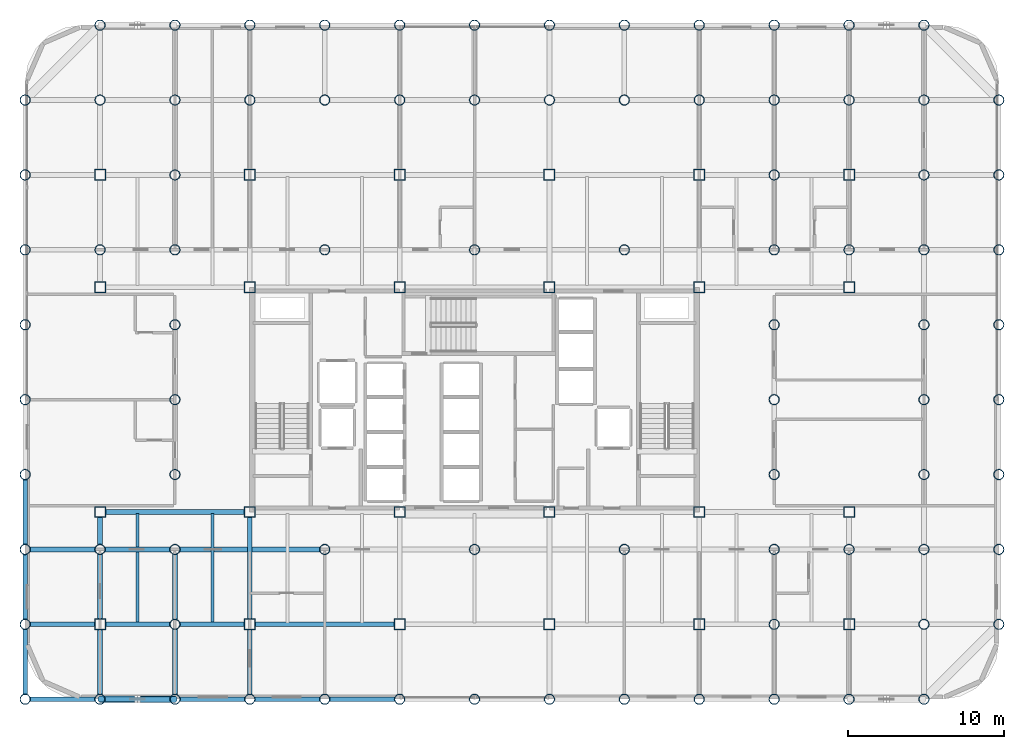
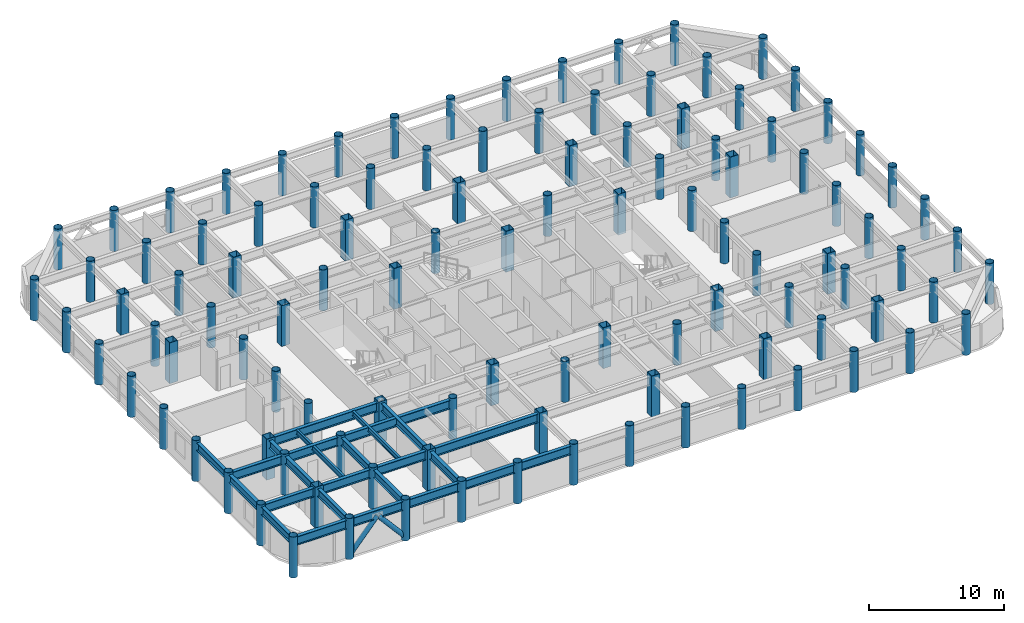
# One storey, part 1 of 20: 108 columns, 25 beams, 2 members.
"""IFC4 building model written with IfcOpenShell, lengths in metres."""

from ifc_helpers import new_model, si_unit, direction, frame, origin, origin_2d, place, context, subcontext, project, spatial, hollow_rectangle, hollow_circle, i_section, extrude, material, material_profile, profile_set, type_object, element, save


model = new_model("IFC4")

# Units and contexts
model_context = context("Model", 3, precision=1e-05, world=origin(), true_north=direction((0.0, 1.0)))
body_context = subcontext(model_context, "Body", "Model", "MODEL_VIEW")
ifc_project = project(units=[si_unit("LENGTHUNIT", "METRE"), si_unit("AREAUNIT", "SQUARE_METRE"), si_unit("VOLUMEUNIT", "CUBIC_METRE"), si_unit("PLANEANGLEUNIT", "RADIAN"), si_unit("MASSUNIT", "GRAM", prefix="KILO")], contexts=[model_context])

# Site, building, storey
site_placement = place(None, origin())
site = spatial("IfcSite", under=ifc_project, at=site_placement, CompositionType="ELEMENT")
building_placement = place(site_placement, origin())
building = spatial("IfcBuilding", under=site, at=building_placement, Name="Kallvorn Hotel Tower", CompositionType="ELEMENT")
storey_placement = place(building_placement, frame((0.0, 0.0, 98.89990234375)))
storey = spatial("IfcBuildingStorey", under=building, at=storey_placement, Name="L23", CompositionType="ELEMENT", Elevation=98.89990234375)

# Columns
ifc_material_1 = material(Name="Structural steel S355J2H", Category="steel")
ifc_material_profile_1 = material_profile(ifc_material_1, hollow_circle(Radius=0.330078125, WallThickness=0.028076171875, at=origin_2d()), Name="CHS 660x28")
ifc_profile_set_1 = profile_set([ifc_material_profile_1], Name="Structural steel S355J2H")
column_type_1 = type_object("IfcColumnType", Name="COL_CHS_660", PredefinedType="COLUMN", material=ifc_profile_set_1)
for number, where, z_axis, x_axis, name in (
    (1, (-28.800048828125, -19.199951171875, 0.0), (0.0, 0.0, 1.0), (1.0, 0.0, 0.0), "L23 Exoskeleton Column EC01"),
    (2, (-28.800048828125, -14.39990234375, 0.0), (0.0, 0.0, 1.0), (1.0, 0.0, 0.0), "L23 Exoskeleton Column EC02"),
    (3, (-28.800048828125, -9.60009765625, 0.0), (0.0, 0.0, 1.0), (1.0, 0.0, 0.0), "L23 Exoskeleton Column EC03"),
    (4, (-28.800048828125, -4.800048828125, 0.0), (0.0, 0.0, 1.0), (1.0, 0.0, 0.0), "L23 Exoskeleton Column EC04"),
    (5, (-28.800048828125, 0.0, 0.0), (0.0, 0.0, 1.0), (1.0, 0.0, 0.0), "L23 Exoskeleton Column EC05"),
    (6, (-28.800048828125, 4.800048828125, 0.0), (0.0, 0.0, 1.0), (1.0, 0.0, 0.0), "L23 Exoskeleton Column EC06"),
    (7, (-28.800048828125, 9.60009765625, 0.0), (0.0, 0.0, 1.0), (1.0, 0.0, 0.0), "L23 Exoskeleton Column EC07"),
    (8, (-28.800048828125, 14.39990234375, 0.0), (0.0, 0.0, 1.0), (1.0, 0.0, 0.0), "L23 Exoskeleton Column EC08"),
    (9, (-28.800048828125, 19.199951171875, 0.0), (0.0, 0.0, 1.0), (1.0, 0.0, 0.0), "L23 Exoskeleton Column EC09"),
    (10, (-24.0, -19.199951171875, 0.0), (0.0, 0.0, 1.0), (1.0, 0.0, 0.0), "L23 Exoskeleton Column EC10"),
    (11, (-24.0, -9.60009765625, 0.0), (0.0, 0.0, 1.0), (1.0, 0.0, 0.0), "L23 Exoskeleton Column EC11"),
    (12, (-24.0, 9.60009765625, 0.0), (0.0, 0.0, 1.0), (1.0, 0.0, 0.0), "L23 Exoskeleton Column EC12"),
    (13, (-24.0, 19.199951171875, 0.0), (0.0, 0.0, 1.0), (1.0, 0.0, 0.0), "L23 Exoskeleton Column EC13"),
    (14, (-24.0, 24.0, 0.0), (0.0, 0.0, 1.0), (1.0, 0.0, 0.0), "L23 Exoskeleton Column EC14"),
    (15, (-19.199951171875, -19.199951171875, 0.0), (0.0, 0.0, 1.0), (1.0, 0.0, 0.0), "L23 Exoskeleton Column EC15"),
    (16, (-19.199951171875, -14.39990234375, 0.0), (0.0, 0.0, 1.0), (1.0, 0.0, 0.0), "L23 Exoskeleton Column EC16"),
    (17, (-19.199951171875, -9.60009765625, 0.0), (0.0, 0.0, 1.0), (1.0, 0.0, 0.0), "L23 Exoskeleton Column EC17"),
    (18, (-19.199951171875, -4.800048828125, 0.0), (0.0, 0.0, 1.0), (1.0, 0.0, 0.0), "L23 Exoskeleton Column EC18"),
    (19, (-19.199951171875, 0.0, 0.0), (0.0, 0.0, 1.0), (1.0, 0.0, 0.0), "L23 Exoskeleton Column EC19"),
    (20, (-19.199951171875, 4.800048828125, 0.0), (0.0, 0.0, 1.0), (1.0, 0.0, 0.0), "L23 Exoskeleton Column EC20"),
    (21, (-19.199951171875, 9.60009765625, 0.0), (0.0, 0.0, 1.0), (1.0, 0.0, 0.0), "L23 Exoskeleton Column EC21"),
    (22, (-19.199951171875, 14.39990234375, 0.0), (0.0, 0.0, 1.0), (1.0, 0.0, 0.0), "L23 Exoskeleton Column EC22"),
    (23, (-19.199951171875, 19.199951171875, 0.0), (0.0, 0.0, 1.0), (1.0, 0.0, 0.0), "L23 Exoskeleton Column EC23"),
    (24, (-19.199951171875, 24.0, 0.0), (0.0, 0.0, 1.0), (1.0, 0.0, 0.0), "L23 Exoskeleton Column EC24"),
    (25, (-14.39990234375, -19.199951171875, 0.0), (0.0, 0.0, 1.0), (1.0, 0.0, 0.0), "L23 Exoskeleton Column EC25"),
    (26, (-14.39990234375, 19.199951171875, 0.0), (0.0, 0.0, 1.0), (1.0, 0.0, 0.0), "L23 Exoskeleton Column EC26"),
    (27, (-14.39990234375, 24.0, 0.0), (0.0, 0.0, 1.0), (1.0, 0.0, 0.0), "L23 Exoskeleton Column EC27"),
    (28, (-9.60009765625, -19.199951171875, 0.0), (0.0, 0.0, 1.0), (1.0, 0.0, 0.0), "L23 Exoskeleton Column EC28"),
    (29, (-9.60009765625, -9.60009765625, 0.0), (0.0, 0.0, 1.0), (1.0, 0.0, 0.0), "L23 Exoskeleton Column EC29"),
    (30, (-9.60009765625, 9.60009765625, 0.0), (0.0, 0.0, 1.0), (1.0, 0.0, 0.0), "L23 Exoskeleton Column EC30"),
    (31, (-9.60009765625, 19.199951171875, 0.0), (0.0, 0.0, 1.0), (1.0, 0.0, 0.0), "L23 Exoskeleton Column EC31"),
    (32, (-9.60009765625, 24.0, 0.0), (0.0, 0.0, 1.0), (1.0, 0.0, 0.0), "L23 Exoskeleton Column EC32"),
    (33, (-4.800048828125, -19.199951171875, 0.0), (0.0, 0.0, 1.0), (1.0, 0.0, 0.0), "L23 Exoskeleton Column EC33"),
    (34, (-4.800048828125, 19.199951171875, 0.0), (0.0, 0.0, 1.0), (1.0, 0.0, 0.0), "L23 Exoskeleton Column EC34"),
    (35, (-4.800048828125, 24.0, 0.0), (0.0, 0.0, 1.0), (1.0, 0.0, 0.0), "L23 Exoskeleton Column EC35"),
    (36, (0.0, -19.199951171875, 0.0), (0.0, 0.0, 1.0), (1.0, 0.0, 0.0), "L23 Exoskeleton Column EC36"),
    (37, (0.0, -9.60009765625, 0.0), (0.0, 0.0, 1.0), (1.0, 0.0, 0.0), "L23 Exoskeleton Column EC37"),
    (38, (0.0, 9.60009765625, 0.0), (0.0, 0.0, 1.0), (1.0, 0.0, 0.0), "L23 Exoskeleton Column EC38"),
    (39, (0.0, 19.199951171875, 0.0), (0.0, 0.0, 1.0), (1.0, 0.0, 0.0), "L23 Exoskeleton Column EC39"),
    (40, (0.0, 24.0, 0.0), (0.0, 0.0, 1.0), (1.0, 0.0, 0.0), "L23 Exoskeleton Column EC40"),
    (41, (4.800048828125, -19.199951171875, 0.0), (0.0, 0.0, 1.0), (1.0, 0.0, 0.0), "L23 Exoskeleton Column EC41"),
    (42, (4.800048828125, 19.199951171875, 0.0), (0.0, 0.0, 1.0), (1.0, 0.0, 0.0), "L23 Exoskeleton Column EC42"),
    (43, (4.800048828125, 24.0, 0.0), (0.0, 0.0, 1.0), (1.0, 0.0, 0.0), "L23 Exoskeleton Column EC43"),
    (44, (9.60009765625, -19.199951171875, 0.0), (0.0, 0.0, 1.0), (1.0, 0.0, 0.0), "L23 Exoskeleton Column EC44"),
    (45, (9.60009765625, -9.60009765625, 0.0), (0.0, 0.0, 1.0), (1.0, 0.0, 0.0), "L23 Exoskeleton Column EC45"),
    (46, (9.60009765625, 9.60009765625, 0.0), (0.0, 0.0, 1.0), (1.0, 0.0, 0.0), "L23 Exoskeleton Column EC46"),
    (47, (9.60009765625, 19.199951171875, 0.0), (0.0, 0.0, 1.0), (1.0, 0.0, 0.0), "L23 Exoskeleton Column EC47"),
    (48, (9.60009765625, 24.0, 0.0), (0.0, 0.0, 1.0), (1.0, 0.0, 0.0), "L23 Exoskeleton Column EC48"),
    (49, (14.39990234375, -19.199951171875, 0.0), (0.0, 0.0, 1.0), (1.0, 0.0, 0.0), "L23 Exoskeleton Column EC49"),
    (50, (14.39990234375, 19.199951171875, 0.0), (0.0, 0.0, 1.0), (1.0, 0.0, 0.0), "L23 Exoskeleton Column EC50"),
    (51, (14.39990234375, 24.0, 0.0), (0.0, 0.0, 1.0), (1.0, 0.0, 0.0), "L23 Exoskeleton Column EC51"),
    (52, (19.199951171875, -19.199951171875, 0.0), (0.0, 0.0, 1.0), (1.0, 0.0, 0.0), "L23 Exoskeleton Column EC52"),
    (53, (19.199951171875, -14.39990234375, 0.0), (0.0, 0.0, 1.0), (1.0, 0.0, 0.0), "L23 Exoskeleton Column EC53"),
    (54, (19.199951171875, -9.60009765625, 0.0), (0.0, 0.0, 1.0), (1.0, 0.0, 0.0), "L23 Exoskeleton Column EC54"),
    (55, (19.199951171875, -4.800048828125, 0.0), (0.0, 0.0, 1.0), (1.0, 0.0, 0.0), "L23 Exoskeleton Column EC55"),
    (56, (19.199951171875, 0.0, 0.0), (0.0, 0.0, 1.0), (1.0, 0.0, 0.0), "L23 Exoskeleton Column EC56"),
    (57, (19.199951171875, 4.800048828125, 0.0), (0.0, 0.0, 1.0), (1.0, 0.0, 0.0), "L23 Exoskeleton Column EC57"),
    (58, (19.199951171875, 9.60009765625, 0.0), (0.0, 0.0, 1.0), (1.0, 0.0, 0.0), "L23 Exoskeleton Column EC58"),
    (59, (19.199951171875, 14.39990234375, 0.0), (0.0, 0.0, 1.0), (1.0, 0.0, 0.0), "L23 Exoskeleton Column EC59"),
    (60, (19.199951171875, 19.199951171875, 0.0), (0.0, 0.0, 1.0), (1.0, 0.0, 0.0), "L23 Exoskeleton Column EC60"),
    (61, (19.199951171875, 24.0, 0.0), (0.0, 0.0, 1.0), (1.0, 0.0, 0.0), "L23 Exoskeleton Column EC61"),
    (62, (24.0, -19.199951171875, 0.0), (0.0, 0.0, 1.0), (1.0, 0.0, 0.0), "L23 Exoskeleton Column EC62"),
    (63, (24.0, -9.60009765625, 0.0), (0.0, 0.0, 1.0), (1.0, 0.0, 0.0), "L23 Exoskeleton Column EC63"),
    (64, (24.0, 9.60009765625, 0.0), (0.0, 0.0, 1.0), (1.0, 0.0, 0.0), "L23 Exoskeleton Column EC64"),
    (65, (24.0, 19.199951171875, 0.0), (0.0, 0.0, 1.0), (1.0, 0.0, 0.0), "L23 Exoskeleton Column EC65"),
    (66, (24.0, 24.0, 0.0), (0.0, 0.0, 1.0), (1.0, 0.0, 0.0), "L23 Exoskeleton Column EC66"),
    (67, (28.800048828125, -19.199951171875, 0.0), (0.0, 0.0, 1.0), (1.0, 0.0, 0.0), "L23 Exoskeleton Column EC67"),
    (68, (28.800048828125, -14.39990234375, 0.0), (0.0, 0.0, 1.0), (1.0, 0.0, 0.0), "L23 Exoskeleton Column EC68"),
    (69, (28.800048828125, -9.60009765625, 0.0), (0.0, 0.0, 1.0), (1.0, 0.0, 0.0), "L23 Exoskeleton Column EC69"),
    (70, (28.800048828125, -4.800048828125, 0.0), (0.0, 0.0, 1.0), (1.0, 0.0, 0.0), "L23 Exoskeleton Column EC70"),
    (71, (28.800048828125, 0.0, 0.0), (0.0, 0.0, 1.0), (1.0, 0.0, 0.0), "L23 Exoskeleton Column EC71"),
    (72, (28.800048828125, 4.800048828125, 0.0), (0.0, 0.0, 1.0), (1.0, 0.0, 0.0), "L23 Exoskeleton Column EC72"),
    (73, (28.800048828125, 9.60009765625, 0.0), (0.0, 0.0, 1.0), (1.0, 0.0, 0.0), "L23 Exoskeleton Column EC73"),
    (74, (28.800048828125, 14.39990234375, 0.0), (0.0, 0.0, 1.0), (1.0, 0.0, 0.0), "L23 Exoskeleton Column EC74"),
    (75, (28.800048828125, 19.199951171875, 0.0), (0.0, 0.0, 1.0), (1.0, 0.0, 0.0), "L23 Exoskeleton Column EC75"),
    (76, (28.800048828125, 24.0, 0.0), (0.0, 0.0, 1.0), (1.0, 0.0, 0.0), "L23 Exoskeleton Column EC76"),
    (77, (33.60009765625, -14.39990234375, 0.0), (0.0, 0.0, 1.0), (1.0, 0.0, 0.0), "L23 Exoskeleton Column EC77"),
    (78, (33.60009765625, -9.60009765625, 0.0), (0.0, 0.0, 1.0), (1.0, 0.0, 0.0), "L23 Exoskeleton Column EC78"),
    (79, (33.60009765625, -4.800048828125, 0.0), (0.0, 0.0, 1.0), (1.0, 0.0, 0.0), "L23 Exoskeleton Column EC79"),
    (80, (33.60009765625, 0.0, 0.0), (0.0, 0.0, 1.0), (1.0, 0.0, 0.0), "L23 Exoskeleton Column EC80"),
    (81, (33.60009765625, 4.800048828125, 0.0), (0.0, 0.0, 1.0), (1.0, 0.0, 0.0), "L23 Exoskeleton Column EC81"),
    (82, (33.60009765625, 9.60009765625, 0.0), (0.0, 0.0, 1.0), (1.0, 0.0, 0.0), "L23 Exoskeleton Column EC82"),
    (83, (33.60009765625, 14.39990234375, 0.0), (0.0, 0.0, 1.0), (1.0, 0.0, 0.0), "L23 Exoskeleton Column EC83"),
    (84, (33.60009765625, 19.199951171875, 0.0), (0.0, 0.0, 1.0), (1.0, 0.0, 0.0), "L23 Exoskeleton Column EC84"),
):
    element("IfcColumn", number, at=place(storey_placement, frame(where, z_axis=z_axis, x_axis=x_axis)), inside=storey, type_object=column_type_1, Name=name, PredefinedType="COLUMN", context=body_context, shape_type="SweptSolid", body=[
        extrude(hollow_circle(Radius=0.330078125, WallThickness=0.028076171875, at=origin_2d()), origin(), (0.0, 0.0, 1.0), 3.7001953125),
    ])
ifc_material_2 = material(Name="Structural steel S355J2H", Category="steel")
ifc_material_profile_2 = material_profile(ifc_material_2, hollow_rectangle(XDim=0.699951171875, YDim=0.699951171875, WallThickness=0.031982421875, at=origin_2d()), Name="RHS 700x700x32")
ifc_profile_set_2 = profile_set([ifc_material_profile_2], Name="Structural steel S355J2H")
column_type_2 = type_object("IfcColumnType", Name="COL_RHS_700", PredefinedType="COLUMN", material=ifc_profile_set_2)
for number, where, z_axis, x_axis, name in (
    (85, (-24.0, -14.39990234375, 0.0), (0.0, 0.0, 1.0), (1.0, 0.0, 0.0), "L23 Inner Column IC01"),
    (86, (-24.0, -7.199951171875, 0.0), (0.0, 0.0, 1.0), (1.0, 0.0, 0.0), "L23 Inner Column IC02"),
    (87, (-24.0, 7.199951171875, 0.0), (0.0, 0.0, 1.0), (1.0, 0.0, 0.0), "L23 Inner Column IC03"),
    (88, (-24.0, 14.39990234375, 0.0), (0.0, 0.0, 1.0), (1.0, 0.0, 0.0), "L23 Inner Column IC04"),
    (89, (-14.39990234375, -14.39990234375, 0.0), (0.0, 0.0, 1.0), (1.0, 0.0, 0.0), "L23 Inner Column IC05"),
    (90, (-14.39990234375, -7.199951171875, 0.0), (0.0, 0.0, 1.0), (1.0, 0.0, 0.0), "L23 Inner Column IC06"),
    (91, (-14.39990234375, 7.199951171875, 0.0), (0.0, 0.0, 1.0), (1.0, 0.0, 0.0), "L23 Inner Column IC07"),
    (92, (-14.39990234375, 14.39990234375, 0.0), (0.0, 0.0, 1.0), (1.0, 0.0, 0.0), "L23 Inner Column IC08"),
    (93, (-4.800048828125, -14.39990234375, 0.0), (0.0, 0.0, 1.0), (1.0, 0.0, 0.0), "L23 Inner Column IC09"),
    (94, (-4.800048828125, -7.199951171875, 0.0), (0.0, 0.0, 1.0), (1.0, 0.0, 0.0), "L23 Inner Column IC10"),
    (95, (-4.800048828125, 7.199951171875, 0.0), (0.0, 0.0, 1.0), (1.0, 0.0, 0.0), "L23 Inner Column IC11"),
    (96, (-4.800048828125, 14.39990234375, 0.0), (0.0, 0.0, 1.0), (1.0, 0.0, 0.0), "L23 Inner Column IC12"),
    (97, (4.800048828125, -14.39990234375, 0.0), (0.0, 0.0, 1.0), (1.0, 0.0, 0.0), "L23 Inner Column IC13"),
    (98, (4.800048828125, -7.199951171875, 0.0), (0.0, 0.0, 1.0), (1.0, 0.0, 0.0), "L23 Inner Column IC14"),
    (99, (4.800048828125, 7.199951171875, 0.0), (0.0, 0.0, 1.0), (1.0, 0.0, 0.0), "L23 Inner Column IC15"),
    (100, (4.800048828125, 14.39990234375, 0.0), (0.0, 0.0, 1.0), (1.0, 0.0, 0.0), "L23 Inner Column IC16"),
    (101, (14.39990234375, -14.39990234375, 0.0), (0.0, 0.0, 1.0), (1.0, 0.0, 0.0), "L23 Inner Column IC17"),
    (102, (14.39990234375, -7.199951171875, 0.0), (0.0, 0.0, 1.0), (1.0, 0.0, 0.0), "L23 Inner Column IC18"),
    (103, (14.39990234375, 7.199951171875, 0.0), (0.0, 0.0, 1.0), (1.0, 0.0, 0.0), "L23 Inner Column IC19"),
    (104, (14.39990234375, 14.39990234375, 0.0), (0.0, 0.0, 1.0), (1.0, 0.0, 0.0), "L23 Inner Column IC20"),
    (105, (24.0, -14.39990234375, 0.0), (0.0, 0.0, 1.0), (1.0, 0.0, 0.0), "L23 Inner Column IC21"),
    (106, (24.0, -7.199951171875, 0.0), (0.0, 0.0, 1.0), (1.0, 0.0, 0.0), "L23 Inner Column IC22"),
    (107, (24.0, 7.199951171875, 0.0), (0.0, 0.0, 1.0), (1.0, 0.0, 0.0), "L23 Inner Column IC23"),
    (108, (24.0, 14.39990234375, 0.0), (0.0, 0.0, 1.0), (1.0, 0.0, 0.0), "L23 Inner Column IC24"),
):
    element("IfcColumn", number, at=place(storey_placement, frame(where, z_axis=z_axis, x_axis=x_axis)), inside=storey, type_object=column_type_2, Name=name, PredefinedType="COLUMN", context=body_context, shape_type="SweptSolid", body=[
        extrude(hollow_rectangle(XDim=0.699951171875, YDim=0.699951171875, WallThickness=0.031982421875, at=origin_2d()), origin(), (0.0, 0.0, 1.0), 3.7001953125),
    ])

# Beams
ifc_material_3 = material(Name="Structural steel S355JR", Category="steel")
ifc_material_profile_3 = material_profile(ifc_material_3, i_section(OverallWidth=0.300048828125, OverallDepth=0.699951171875, WebThickness=0.01708984375, FlangeThickness=0.031982421875, at=origin_2d()), Name="HE 700 B")
ifc_profile_set_3 = profile_set([ifc_material_profile_3], Name="Structural steel S355JR")
beam_type_1 = type_object("IfcBeamType", Name="BM_HE700B", PredefinedType="BEAM", material=ifc_profile_set_3)
for number, where, z_axis, x_axis, name in (
    (109, (-28.800048828125, -18.89501953125, 3.170166015625), (0.0, 1.0, 0.0), (-1.0, 0.0, 0.0), "L24 Primary Y-Girder 73"),
    (110, (-28.800048828125, -14.094970703125, 3.170166015625), (0.0, 1.0, 0.0), (-1.0, 0.0, 0.0), "L24 Primary Y-Girder 74"),
    (111, (-28.800048828125, -9.294921875, 3.170166015625), (0.0, 1.0, 0.0), (-1.0, 0.0, 0.0), "L24 Primary Y-Girder 75"),
):
    element("IfcBeam", number, at=place(storey_placement, frame(where, z_axis=z_axis, x_axis=x_axis)), inside=storey, type_object=beam_type_1, Name=name, PredefinedType="BEAM", context=body_context, shape_type="SweptSolid", body=[
        extrude(i_section(OverallWidth=0.300048828125, OverallDepth=0.699951171875, WebThickness=0.01708984375, FlangeThickness=0.031982421875, at=origin_2d()), origin(), (0.0, 0.0, 1.0), 4.18994140625),
    ])
for number, where, z_axis, x_axis, name in (
    (112, (-24.0, -18.89501953125, 3.170166015625), (0.0, 1.0, 0.0), (-1.0, 0.0, 0.0), "L24 Primary Y-Girder 81"),
    (113, (-24.0, -14.074951171875, 3.170166015625), (0.0, 1.0, 0.0), (-1.0, 0.0, 0.0), "L24 Primary Y-Girder 82"),
):
    element("IfcBeam", number, at=place(storey_placement, frame(where, z_axis=z_axis, x_axis=x_axis)), inside=storey, type_object=beam_type_1, Name=name, PredefinedType="BEAM", context=body_context, shape_type="SweptSolid", body=[
        extrude(i_section(OverallWidth=0.300048828125, OverallDepth=0.699951171875, WebThickness=0.01708984375, FlangeThickness=0.031982421875, at=origin_2d()), origin(), (0.0, 0.0, 1.0), 4.169921875),
    ])
beam_1_placement = place(storey_placement, frame((-24.0, -9.294921875, 3.170166015625), z_axis=(0.0, 1.0, 0.0), x_axis=(-1.0, 0.0, 0.0)))
element("IfcBeam", 114, at=beam_1_placement, inside=storey, type_object=beam_type_1, Name="L24 Primary Y-Girder 83", PredefinedType="BEAM", context=body_context, shape_type="SweptSolid", body=[
    extrude(i_section(OverallWidth=0.300048828125, OverallDepth=0.699951171875, WebThickness=0.01708984375, FlangeThickness=0.031982421875, at=origin_2d()), origin(), (0.0, 0.0, 1.0), 1.77001953125),
])
for number, where, z_axis, x_axis, name in (
    (115, (-19.199951171875, -18.89501953125, 3.170166015625), (0.0, 1.0, 0.0), (-1.0, 0.0, 0.0), "L24 Primary Y-Girder 88"),
    (116, (-19.199951171875, -14.094970703125, 3.170166015625), (0.0, 1.0, 0.0), (-1.0, 0.0, 0.0), "L24 Primary Y-Girder 89"),
):
    element("IfcBeam", number, at=place(storey_placement, frame(where, z_axis=z_axis, x_axis=x_axis)), inside=storey, type_object=beam_type_1, Name=name, PredefinedType="BEAM", context=body_context, shape_type="SweptSolid", body=[
        extrude(i_section(OverallWidth=0.300048828125, OverallDepth=0.699951171875, WebThickness=0.01708984375, FlangeThickness=0.031982421875, at=origin_2d()), origin(), (0.0, 0.0, 1.0), 4.18994140625),
    ])
beam_2_placement = place(storey_placement, frame((-14.39990234375, -18.89501953125, 3.170166015625), z_axis=(0.0, 1.0, 0.0), x_axis=(-1.0, 0.0, 0.0)))
element("IfcBeam", 117, at=beam_2_placement, inside=storey, type_object=beam_type_1, Name="L24 Primary Y-Girder 97", PredefinedType="BEAM", context=body_context, shape_type="SweptSolid", body=[
    extrude(i_section(OverallWidth=0.300048828125, OverallDepth=0.699951171875, WebThickness=0.01708984375, FlangeThickness=0.031982421875, at=origin_2d()), origin(), (0.0, 0.0, 1.0), 4.169921875),
])
beam_3_placement = place(storey_placement, frame((-14.39990234375, -14.074951171875, 3.170166015625), z_axis=(0.0, 1.0, 0.0), x_axis=(-1.0, 0.0, 0.0)))
element("IfcBeam", 118, at=beam_3_placement, inside=storey, type_object=beam_type_1, Name="L24 Primary Y-Girder 98", PredefinedType="BEAM", context=body_context, shape_type="SweptSolid", body=[
    extrude(i_section(OverallWidth=0.300048828125, OverallDepth=0.699951171875, WebThickness=0.01708984375, FlangeThickness=0.031982421875, at=origin_2d()), origin(), (0.0, 0.0, 1.0), 6.550048828125),
])
ifc_material_4 = material(Name="Structural steel S355JR", Category="steel")
ifc_material_profile_4 = material_profile(ifc_material_4, i_section(OverallWidth=0.300048828125, OverallDepth=0.800048828125, WebThickness=0.017578125, FlangeThickness=0.032958984375, at=origin_2d()), Name="HE 800 B")
ifc_profile_set_4 = profile_set([ifc_material_profile_4], Name="Structural steel S355JR")
beam_type_2 = type_object("IfcBeamType", Name="BM_HE800B", PredefinedType="BEAM", material=ifc_profile_set_4)
for number, where, z_axis, x_axis, name in (
    (119, (-28.4951171875, -19.199951171875, 3.1201171875), (1.0, 0.0, 0.0), (0.0, 1.0, 0.0), "L24 Primary X-Girder 01"),
    (120, (-23.695068359375, -19.199951171875, 3.1201171875), (1.0, 0.0, 0.0), (0.0, 1.0, 0.0), "L24 Primary X-Girder 02"),
):
    element("IfcBeam", number, at=place(storey_placement, frame(where, z_axis=z_axis, x_axis=x_axis)), inside=storey, type_object=beam_type_2, Name=name, PredefinedType="BEAM", context=body_context, shape_type="SweptSolid", body=[
        extrude(i_section(OverallWidth=0.300048828125, OverallDepth=0.800048828125, WebThickness=0.017578125, FlangeThickness=0.032958984375, at=origin_2d()), origin(), (0.0, 0.0, 1.0), 4.190185546875),
    ])
for number, where, z_axis, x_axis, name in (
    (121, (-18.89501953125, -19.199951171875, 3.1201171875), (1.0, 0.0, 0.0), (0.0, 1.0, 0.0), "L24 Primary X-Girder 03"),
    (122, (-14.094970703125, -19.199951171875, 3.1201171875), (1.0, 0.0, 0.0), (0.0, 1.0, 0.0), "L24 Primary X-Girder 04"),
    (123, (-9.294921875, -19.199951171875, 3.1201171875), (1.0, 0.0, 0.0), (0.0, 1.0, 0.0), "L24 Primary X-Girder 05"),
):
    element("IfcBeam", number, at=place(storey_placement, frame(where, z_axis=z_axis, x_axis=x_axis)), inside=storey, type_object=beam_type_2, Name=name, PredefinedType="BEAM", context=body_context, shape_type="SweptSolid", body=[
        extrude(i_section(OverallWidth=0.300048828125, OverallDepth=0.800048828125, WebThickness=0.017578125, FlangeThickness=0.032958984375, at=origin_2d()), origin(), (0.0, 0.0, 1.0), 4.18994140625),
    ])
for number, where, z_axis, x_axis, name in (
    (124, (-28.4951171875, -14.39990234375, 3.1201171875), (1.0, 0.0, 0.0), (0.0, 1.0, 0.0), "L24 Primary X-Girder 13"),
    (125, (-23.675048828125, -14.39990234375, 3.1201171875), (1.0, 0.0, 0.0), (0.0, 1.0, 0.0), "L24 Primary X-Girder 14"),
):
    element("IfcBeam", number, at=place(storey_placement, frame(where, z_axis=z_axis, x_axis=x_axis)), inside=storey, type_object=beam_type_2, Name=name, PredefinedType="BEAM", context=body_context, shape_type="SweptSolid", body=[
        extrude(i_section(OverallWidth=0.300048828125, OverallDepth=0.800048828125, WebThickness=0.017578125, FlangeThickness=0.032958984375, at=origin_2d()), origin(), (0.0, 0.0, 1.0), 4.170166015625),
    ])
beam_4_placement = place(storey_placement, frame((-18.89501953125, -14.39990234375, 3.1201171875), z_axis=(1.0, 0.0, 0.0), x_axis=(0.0, 1.0, 0.0)))
element("IfcBeam", 126, at=beam_4_placement, inside=storey, type_object=beam_type_2, Name="L24 Primary X-Girder 15", PredefinedType="BEAM", context=body_context, shape_type="SweptSolid", body=[
    extrude(i_section(OverallWidth=0.300048828125, OverallDepth=0.800048828125, WebThickness=0.017578125, FlangeThickness=0.032958984375, at=origin_2d()), origin(), (0.0, 0.0, 1.0), 4.169921875),
])
beam_5_placement = place(storey_placement, frame((-14.074951171875, -14.39990234375, 3.1201171875), z_axis=(1.0, 0.0, 0.0), x_axis=(0.0, 1.0, 0.0)))
element("IfcBeam", 127, at=beam_5_placement, inside=storey, type_object=beam_type_2, Name="L24 Primary X-Girder 16", PredefinedType="BEAM", context=body_context, shape_type="SweptSolid", body=[
    extrude(i_section(OverallWidth=0.300048828125, OverallDepth=0.800048828125, WebThickness=0.017578125, FlangeThickness=0.032958984375, at=origin_2d()), origin(), (0.0, 0.0, 1.0), 8.949951171875),
])
for number, where, z_axis, x_axis, name in (
    (128, (-28.4951171875, -9.60009765625, 3.1201171875), (1.0, 0.0, 0.0), (0.0, 1.0, 0.0), "L24 Primary X-Girder 23"),
    (129, (-23.695068359375, -9.60009765625, 3.1201171875), (1.0, 0.0, 0.0), (0.0, 1.0, 0.0), "L24 Primary X-Girder 24"),
):
    element("IfcBeam", number, at=place(storey_placement, frame(where, z_axis=z_axis, x_axis=x_axis)), inside=storey, type_object=beam_type_2, Name=name, PredefinedType="BEAM", context=body_context, shape_type="SweptSolid", body=[
        extrude(i_section(OverallWidth=0.300048828125, OverallDepth=0.800048828125, WebThickness=0.017578125, FlangeThickness=0.032958984375, at=origin_2d()), origin(), (0.0, 0.0, 1.0), 4.190185546875),
    ])
beam_6_placement = place(storey_placement, frame((-18.89501953125, -9.60009765625, 3.1201171875), z_axis=(1.0, 0.0, 0.0), x_axis=(0.0, 1.0, 0.0)))
element("IfcBeam", 130, at=beam_6_placement, inside=storey, type_object=beam_type_2, Name="L24 Primary X-Girder 25", PredefinedType="BEAM", context=body_context, shape_type="SweptSolid", body=[
    extrude(i_section(OverallWidth=0.300048828125, OverallDepth=0.800048828125, WebThickness=0.017578125, FlangeThickness=0.032958984375, at=origin_2d()), origin(), (0.0, 0.0, 1.0), 8.989990234375),
])
beam_7_placement = place(storey_placement, frame((-23.675048828125, -7.199951171875, 3.1201171875), z_axis=(1.0, 0.0, 0.0), x_axis=(0.0, 1.0, 0.0)))
element("IfcBeam", 131, at=beam_7_placement, inside=storey, type_object=beam_type_2, Name="L24 Primary X-Girder 32", PredefinedType="BEAM", context=body_context, shape_type="SweptSolid", body=[
    extrude(i_section(OverallWidth=0.300048828125, OverallDepth=0.800048828125, WebThickness=0.017578125, FlangeThickness=0.032958984375, at=origin_2d()), origin(), (0.0, 0.0, 1.0), 8.949951171875),
])
ifc_material_5 = material(Name="Structural steel S355JR", Category="steel")
ifc_material_profile_5 = material_profile(ifc_material_5, i_section(OverallWidth=0.18994140625, OverallDepth=0.449951171875, WebThickness=0.009521484375, FlangeThickness=0.0146484375, at=origin_2d()), Name="IPE 450")
ifc_profile_set_5 = profile_set([ifc_material_profile_5], Name="Structural steel S355JR")
beam_type_3 = type_object("IfcBeamType", Name="BM_IPE450", PredefinedType="JOIST", material=ifc_profile_set_5)
for number, where, z_axis, x_axis, name in (
    (132, (-21.60009765625, -14.300048828125, 3.295166015625), (0.0, 1.0, 0.0), (-1.0, 0.0, 0.0), "L24 Secondary Composite Joist 192"),
    (133, (-16.800048828125, -14.300048828125, 3.295166015625), (0.0, 1.0, 0.0), (-1.0, 0.0, 0.0), "L24 Secondary Composite Joist 194"),
):
    element("IfcBeam", number, at=place(storey_placement, frame(where, z_axis=z_axis, x_axis=x_axis)), inside=storey, type_object=beam_type_3, Name=name, PredefinedType="JOIST", context=body_context, shape_type="SweptSolid", body=[
        extrude(i_section(OverallWidth=0.18994140625, OverallDepth=0.449951171875, WebThickness=0.009521484375, FlangeThickness=0.0146484375, at=origin_2d()), origin(), (0.0, 0.0, 1.0), 7.0),
    ])

# Members
ifc_material_6 = material(Name="Structural steel S355J2H", Category="steel")
ifc_material_profile_6 = material_profile(ifc_material_6, hollow_circle(Radius=0.203125, WallThickness=0.01611328125, at=origin_2d()), Name="CHS 406.4x16")
ifc_profile_set_6 = profile_set([ifc_material_profile_6], Name="Structural steel S355J2H")
member_type = type_object("IfcMemberType", Name="MBR_EXO_CHS406", PredefinedType="BRACE", material=ifc_profile_set_6)
for number, where, z_axis, x_axis, name in (
    (134, (-23.98681640625, -19.199951171875, 0.1953125), (0.65346062529, 0.0, 0.756960508346), (0.0, 1.0, 0.0), "L23 Exoskeleton K-Brace S1A"),
    (135, (-19.213134765625, -19.199951171875, 0.1953125), (-0.65346062529, 0.0, 0.756960508346), (0.0, -1.0, 0.0), "L23 Exoskeleton K-Brace S1B"),
):
    element("IfcMember", number, at=place(storey_placement, frame(where, z_axis=z_axis, x_axis=x_axis)), inside=storey, type_object=member_type, Name=name, PredefinedType="BRACE", context=body_context, shape_type="SweptSolid", body=[
        extrude(hollow_circle(Radius=0.203125, WallThickness=0.01611328125, at=origin_2d()), origin(), (0.0, 0.0, 1.0), 3.632568359375),
    ])

save(model, "model.ifc")
